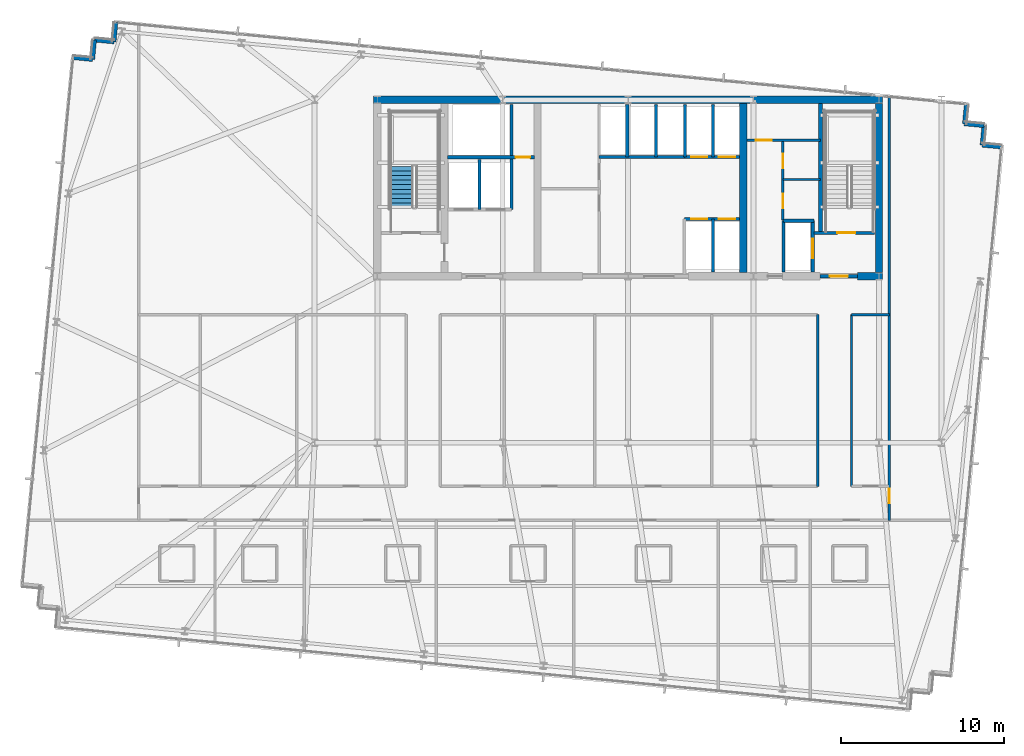
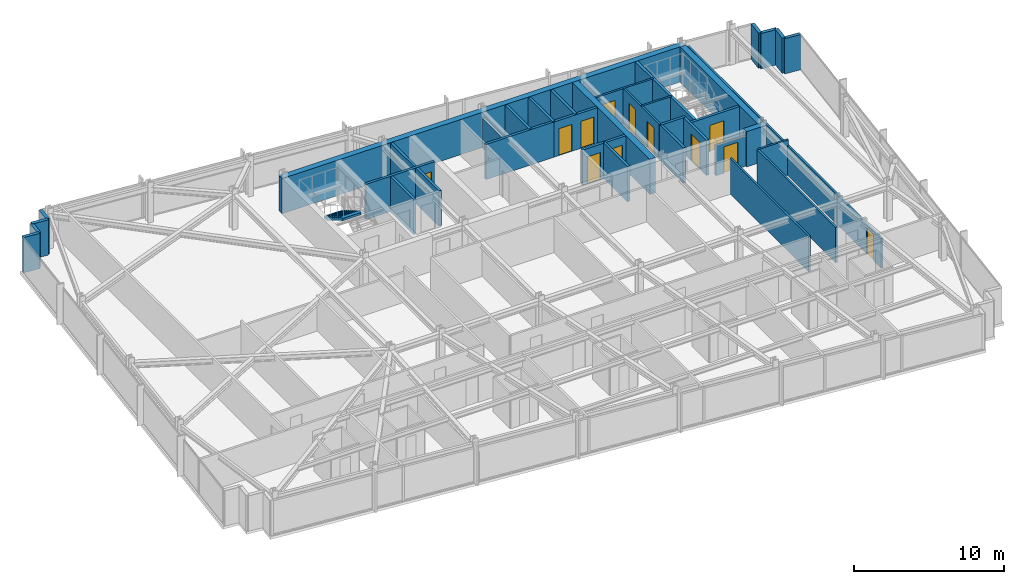
# One storey, part 31 of 37: 36 walls, 12 doors, 1 stair flight, 12 openings, 1 element without a shape of its own.
"""IFC4 building model written with IfcOpenShell, lengths in metres."""

from ifc_helpers import new_model, si_unit, direction, frame, frame_2d, origin, place, context, subcontext, project, spatial, polyline, rectangle, outline, extrude, material, layer, layer_set, type_object, element, fill, aggregate, save


model = new_model("IFC4")

# Units and contexts
model_context = context("Model", 3, precision=1e-05, world=origin(), true_north=direction((0.0, 1.0)))
body_context = subcontext(model_context, "Body", "Model", "MODEL_VIEW")
ifc_project = project(units=[si_unit("LENGTHUNIT", "METRE"), si_unit("AREAUNIT", "SQUARE_METRE"), si_unit("VOLUMEUNIT", "CUBIC_METRE"), si_unit("PLANEANGLEUNIT", "RADIAN"), si_unit("MASSUNIT", "GRAM", prefix="KILO")], contexts=[model_context])

# Site, building, storey
site_placement = place(None, origin())
site = spatial("IfcSite", under=ifc_project, at=site_placement, CompositionType="ELEMENT")
building_placement = place(site_placement, origin())
building = spatial("IfcBuilding", under=site, at=building_placement, Name="Yelkora Congress Tower", CompositionType="ELEMENT")
storey_placement = place(building_placement, frame((0.0, 0.0, 188.60009765625)))
storey = spatial("IfcBuildingStorey", under=building, at=storey_placement, Name="L52", CompositionType="ELEMENT", Elevation=188.60009765625)

# Walls
ifc_material_1 = material(Name="Concrete C50/60", Category="concrete")
ifc_layer_1 = layer(ifc_material_1, 0.219970703125)
ifc_layer_set_1 = layer_set([ifc_layer_1], Name="Concrete C50/60")
wall_type_1 = type_object("IfcWallType", Name="WALL-CORE-INT-220", PredefinedType="SHEAR", material=ifc_layer_set_1)
wall_1_placement = place(storey_placement, frame((50.179931640625, 38.050048828125, 0.0), z_axis=(0.0, 0.0, 1.0), x_axis=(0.0, 1.0, 0.0)))
element("IfcWall", 1, at=wall_1_placement, inside=storey, type_object=wall_type_1, Name="L52 ST02 West Stair Shear Wall", PredefinedType="SHEAR", context=body_context, shape_type="SweptSolid", body=[
    extrude(rectangle(XDim=7.925048828125, YDim=0.219970703125, at=frame_2d((3.96240234375, 0.0))), origin(), (0.0, 0.0, 1.0), 2.8798828125),
])
ifc_material_2 = material(Name="Concrete C60/75", Category="concrete")
ifc_layer_2 = layer(ifc_material_2, 0.449951171875)
ifc_layer_set_2 = layer_set([ifc_layer_2], Name="Concrete C60/75")
wall_type_2 = type_object("IfcWallType", Name="WALL-CORE-INT-450", PredefinedType="SHEAR", material=ifc_layer_set_2)
wall_2_placement = place(storey_placement, frame((22.81494140625, 46.199951171875, 0.0), z_axis=(0.0, 0.0, 1.0), x_axis=(1.0, 0.0, 0.0)))
element("IfcWall", 2, at=wall_2_placement, inside=storey, type_object=wall_type_2, Name="L52 Rear Core North Shear Wall", PredefinedType="SHEAR", context=body_context, shape_type="SweptSolid", body=[
    extrude(rectangle(XDim=31.170166015625, YDim=0.449951171875, at=frame_2d((15.5849609375, 0.0))), origin(), (0.0, 0.0, 1.0), 2.8798828125),
])
wall_3_placement = place(storey_placement, frame((52.449951171875, 35.39990234375, 0.0), z_axis=(0.0, 0.0, 1.0), x_axis=(1.0, 0.0, 0.0)))
element("IfcWall", 3, at=wall_3_placement, inside=storey, type_object=wall_type_2, Name="L52 Rear Core South-East Shear Wall B", PredefinedType="SHEAR", context=body_context, shape_type="SweptSolid", body=[
    extrude(rectangle(XDim=1.53515625, YDim=0.449951171875, at=frame_2d((0.767578125, 0.0))), origin(), (0.0, 0.0, 1.0), 2.8798828125),
])
for number, where, z_axis, x_axis, name in (
    (4, (45.449951171875, 35.625, 0.0), (0.0, 0.0, 1.0), (0.0, 1.0, 0.0), "L52 Rear Core Cross Shear Wall C3"),
    (5, (53.760009765625, 35.625, 0.0), (0.0, 0.0, 1.0), (0.0, 1.0, 0.0), "L52 Rear Core Cross Shear Wall E"),
):
    element("IfcWall", number, at=place(storey_placement, frame(where, z_axis=z_axis, x_axis=x_axis)), inside=storey, type_object=wall_type_2, Name=name, PredefinedType="SHEAR", context=body_context, shape_type="SweptSolid", body=[
        extrude(rectangle(XDim=10.35009765625, YDim=0.449951171875, at=frame_2d((5.175048828125, 0.0))), origin(), (0.0, 0.0, 1.0), 2.8798828125),
    ])
ifc_material_3 = material(Name="Concrete C40/50", Category="concrete")
ifc_layer_3 = layer(ifc_material_3, 0.239990234375)
ifc_layer_set_3 = layer_set([ifc_layer_3], Name="Concrete C40/50")
wall_type_3 = type_object("IfcWallType", Name="WALL-EXT-LIMESTONE-240", PredefinedType="SOLIDWALL", material=ifc_layer_set_3)
wall_4_placement = place(storey_placement, frame((4.41064453125, 48.778564453125, 0.0), z_axis=(0.0, 0.0, 1.0), x_axis=(0.995397091755, -0.095836473879, 0.0)))
element("IfcWall", 6, at=wall_4_placement, inside=storey, type_object=wall_type_3, Name="L52 Serrated Corner Limestone Pier 6", PredefinedType="SOLIDWALL", context=body_context, shape_type="SweptSolid", body=[
    extrude(rectangle(XDim=1.199951171875, YDim=0.239990234375, at=frame_2d((0.60009765625, 0.0))), origin(), (0.0, 0.0, 1.0), 2.8798828125),
])
wall_5_placement = place(storey_placement, frame((5.60498046875, 48.66357421875, 0.0), z_axis=(0.0, 0.0, 1.0), x_axis=(0.096018626938, 0.995379537303, 0.0)))
element("IfcWall", 7, at=wall_5_placement, inside=storey, type_object=wall_type_3, Name="L52 Serrated Corner Limestone Pier 7", PredefinedType="SOLIDWALL", context=body_context, shape_type="SweptSolid", body=[
    extrude(rectangle(XDim=1.2001953125, YDim=0.239990234375, at=frame_2d((0.60009765625, 0.0))), origin(), (0.0, 0.0, 1.0), 2.8798828125),
])
for number, where, z_axis, x_axis, name in (
    (8, (5.72021484375, 49.858154296875, 0.0), (0.0, 0.0, 1.0), (0.995397091755, -0.095836473879, 0.0), "L52 Serrated Corner Limestone Pier 8"),
    (9, (6.91455078125, 49.7431640625, 0.0), (0.0, 0.0, 1.0), (0.095836473879, 0.995397091755, 0.0), "L52 Serrated Corner Limestone Pier 9"),
):
    element("IfcWall", number, at=place(storey_placement, frame(where, z_axis=z_axis, x_axis=x_axis)), inside=storey, type_object=wall_type_3, Name=name, PredefinedType="SOLIDWALL", context=body_context, shape_type="SweptSolid", body=[
        extrude(rectangle(XDim=1.199951171875, YDim=0.239990234375, at=frame_2d((0.60009765625, 0.0))), origin(), (0.0, 0.0, 1.0), 2.8798828125),
    ])
for number, where, z_axis, x_axis, name in (
    (10, (59.108642578125, 45.923095703125, 0.0), (0.0, 0.0, 1.0), (-0.095817067274, -0.995398960025, 0.0), "L52 Serrated Corner Limestone Pier 11"),
    (11, (58.99365234375, 44.728515625, 0.0), (0.0, 0.0, 1.0), (0.995398960025, -0.095817067274, 0.0), "L52 Serrated Corner Limestone Pier 12"),
    (12, (60.188232421875, 44.613525390625, 0.0), (0.0, 0.0, 1.0), (-0.096018626938, -0.995379537303, 0.0), "L52 Serrated Corner Limestone Pier 13"),
    (13, (60.072998046875, 43.4189453125, 0.0), (0.0, 0.0, 1.0), (0.995398960025, -0.095817067274, 0.0), "L52 Serrated Corner Limestone Pier 14"),
):
    element("IfcWall", number, at=place(storey_placement, frame(where, z_axis=z_axis, x_axis=x_axis)), inside=storey, type_object=wall_type_3, Name=name, PredefinedType="SOLIDWALL", context=body_context, shape_type="SweptSolid", body=[
        extrude(rectangle(XDim=1.2001953125, YDim=0.239990234375, at=frame_2d((0.60009765625, 0.0))), origin(), (0.0, 0.0, 1.0), 2.8798828125),
    ])

# Wall, opening, door
ifc_material_4 = material(Name="Acoustic metal-stud gypsum partition", Category="gypsum")
ifc_layer_4 = layer(ifc_material_4, 0.14990234375)
ifc_layer_set_4 = layer_set([ifc_layer_4], Name="Acoustic metal-stud gypsum partition")
wall_type_4 = type_object("IfcWallType", Name="WALL-INT-150-NR", PredefinedType="PARTITIONING", material=ifc_layer_set_4)
wall_6_placement = place(storey_placement, frame((45.679931640625, 43.719970703125, 0.0), z_axis=(0.0, 0.0, 1.0), x_axis=(1.0, 0.0, 0.0)))
wall_6 = element("IfcWall", 14, at=wall_6_placement, inside=storey, type_object=wall_type_4, Name="L52 Partition Wall 24", PredefinedType="PARTITIONING", context=body_context, shape_type="SweptSolid", body=[
    extrude(rectangle(XDim=4.5, YDim=0.14990234375, at=frame_2d((2.25, 0.0))), origin(), (0.0, 0.0, 1.0), 2.8798828125),
])
opening_1_placement = place(wall_6_placement, frame((0.550048828125, 0.0, 0.0)))
opening_1 = element("IfcOpeningElement", 15, at=opening_1_placement, cuts=wall_6, Name="Opening DR-095N", PredefinedType="OPENING", context=body_context, shape_type="SweptSolid", body=[
    extrude(rectangle(XDim=0.949951171875, YDim=2.14990234375, at=frame_2d((0.47509765625, 1.074951171875))), frame((0.0, 0.0849609375, 0.0), z_axis=(0.0, -1.0, 0.0), x_axis=(1.0, 0.0, 0.0)), (0.0, 0.0, 1.0), 0.169921875),
])
ifc_material_5 = material(Name="Acoustic laminated timber office door", Category="wood")
door_type_1 = type_object("IfcDoorType", Name="DOOR-INT-950", OperationType="NOTDEFINED", PredefinedType="DOOR", material=ifc_material_5)
door_1_placement = place(opening_1_placement, origin())
door_1 = element("IfcDoor", 16, at=door_1_placement, inside=storey, type_object=door_type_1, Name="L52 Accessible WC Door", OperationType="SINGLE_SWING_RIGHT", OverallHeight=2.14990234375, OverallWidth=0.949951171875, PredefinedType="DOOR", context=body_context, shape_type="SweptSolid", body=[
    extrude(rectangle(XDim=0.949951171875, YDim=2.14990234375, at=frame_2d((0.47509765625, 1.074951171875))), frame((0.0, 0.02490234375, 0.0), z_axis=(0.0, -1.0, 0.0), x_axis=(1.0, 0.0, 0.0)), (0.0, 0.0, 1.0), 0.050048828125),
])
fill(opening_1, door_1)

# Wall
wall_7_placement = place(storey_placement, frame((47.8798828125, 41.320068359375, 0.0), z_axis=(0.0, 0.0, 1.0), x_axis=(1.0, 0.0, 0.0)))
element("IfcWall", 17, at=wall_7_placement, inside=storey, type_object=wall_type_4, Name="L52 Partition Wall 25", PredefinedType="PARTITIONING", context=body_context, shape_type="SweptSolid", body=[
    extrude(rectangle(XDim=2.300048828125, YDim=0.14990234375, at=frame_2d((1.14990234375, 0.0))), origin(), (0.0, 0.0, 1.0), 2.8798828125),
])

# Wall, openings, doors
wall_8_placement = place(storey_placement, frame((47.8798828125, 38.85009765625, 0.0), z_axis=(0.0, 0.0, 1.0), x_axis=(0.0, 1.0, 0.0)))
wall_8 = element("IfcWall", 18, at=wall_8_placement, inside=storey, type_object=wall_type_4, Name="L52 Partition Wall 26", PredefinedType="PARTITIONING", context=body_context, shape_type="SweptSolid", body=[
    extrude(rectangle(XDim=4.869873046875, YDim=0.14990234375, at=frame_2d((2.43505859375, 0.0))), origin(), (0.0, 0.0, 1.0), 2.8798828125),
])
opening_2_placement = place(wall_8_placement, frame((0.699951171875, 0.0, 0.0)))
opening_2 = element("IfcOpeningElement", 19, at=opening_2_placement, cuts=wall_8, Name="Opening DR-090N", PredefinedType="OPENING", context=body_context, shape_type="SweptSolid", body=[
    extrude(rectangle(XDim=0.89990234375, YDim=2.14990234375, at=frame_2d((0.449951171875, 1.074951171875))), frame((0.0, 0.0849609375, 0.0), z_axis=(0.0, -1.0, 0.0), x_axis=(1.0, 0.0, 0.0)), (0.0, 0.0, 1.0), 0.169921875),
])
opening_3_placement = place(wall_8_placement, frame((3.14990234375, 0.0, 0.0)))
opening_3 = element("IfcOpeningElement", 20, at=opening_3_placement, cuts=wall_8, Name="Opening DR-090N", PredefinedType="OPENING", context=body_context, shape_type="SweptSolid", body=[
    extrude(rectangle(XDim=0.89990234375, YDim=2.14990234375, at=frame_2d((0.449951171875, 1.074951171875))), frame((0.0, 0.0849609375, 0.0), z_axis=(0.0, -1.0, 0.0), x_axis=(1.0, 0.0, 0.0)), (0.0, 0.0, 1.0), 0.169921875),
])
ifc_material_6 = material(Name="Moisture-resistant laminate door leaf", Category="wood")
door_type_2 = type_object("IfcDoorType", Name="DOOR-INT-900", OperationType="NOTDEFINED", PredefinedType="DOOR", material=ifc_material_6)
door_2_placement = place(opening_2_placement, origin())
door_2 = element("IfcDoor", 21, at=door_2_placement, inside=storey, type_object=door_type_2, Name="L52 Male WC Door", OperationType="SINGLE_SWING_LEFT", OverallHeight=2.14990234375, OverallWidth=0.89990234375, PredefinedType="DOOR", context=body_context, shape_type="SweptSolid", body=[
    extrude(rectangle(XDim=0.89990234375, YDim=2.14990234375, at=frame_2d((0.449951171875, 1.074951171875))), frame((0.0, 0.02490234375, 0.0), z_axis=(0.0, -1.0, 0.0), x_axis=(1.0, 0.0, 0.0)), (0.0, 0.0, 1.0), 0.050048828125),
])
fill(opening_2, door_2)
door_3_placement = place(opening_3_placement, origin())
door_3 = element("IfcDoor", 22, at=door_3_placement, inside=storey, type_object=door_type_2, Name="L52 Female WC Door", OperationType="SINGLE_SWING_RIGHT", OverallHeight=2.14990234375, OverallWidth=0.89990234375, PredefinedType="DOOR", context=body_context, shape_type="SweptSolid", body=[
    extrude(rectangle(XDim=0.89990234375, YDim=2.14990234375, at=frame_2d((0.449951171875, 1.074951171875))), frame((0.0, 0.02490234375, 0.0), z_axis=(0.0, -1.0, 0.0), x_axis=(1.0, 0.0, 0.0)), (0.0, 0.0, 1.0), 0.050048828125),
])
fill(opening_3, door_3)

# Wall, opening, door
wall_9_placement = place(storey_placement, frame((54.39990234375, 20.449951171875, 0.0), z_axis=(0.0, 0.0, 1.0), x_axis=(0.0, 1.0, 0.0)))
wall_9 = element("IfcWall", 23, at=wall_9_placement, inside=storey, type_object=wall_type_4, Name="L52 Partition Wall 63", PredefinedType="PARTITIONING", context=body_context, shape_type="SweptSolid", body=[
    extrude(rectangle(XDim=25.986572265625, YDim=0.14990234375, at=frame_2d((12.9931640625, 0.0))), origin(), (0.0, 0.0, 1.0), 2.4248046875),
])
opening_4_placement = place(wall_9_placement, frame((1.030029296875, 0.0, 0.0)))
opening_4 = element("IfcOpeningElement", 24, at=opening_4_placement, cuts=wall_9, Name="Opening DR-090N", PredefinedType="OPENING", context=body_context, shape_type="SweptSolid", body=[
    extrude(rectangle(XDim=0.89990234375, YDim=2.14990234375, at=frame_2d((0.449951171875, 1.074951171875))), frame((0.0, 0.0849609375, 0.0), z_axis=(0.0, -1.0, 0.0), x_axis=(1.0, 0.0, 0.0)), (0.0, 0.0, 1.0), 0.169921875),
])
door_4_placement = place(opening_4_placement, origin())
door_4 = element("IfcDoor", 25, at=door_4_placement, inside=storey, type_object=door_type_2, Name="L52 E Wing Door", OperationType="SINGLE_SWING_RIGHT", OverallHeight=2.14990234375, OverallWidth=0.89990234375, PredefinedType="DOOR", context=body_context, shape_type="SweptSolid", body=[
    extrude(rectangle(XDim=0.89990234375, YDim=2.14990234375, at=frame_2d((0.449951171875, 1.074951171875))), frame((0.0, 0.02490234375, 0.0), z_axis=(0.0, -1.0, 0.0), x_axis=(1.0, 0.0, 0.0)), (0.0, 0.0, 1.0), 0.050048828125),
])
fill(opening_4, door_4)

# Walls
for number, where, z_axis, x_axis, name in (
    (26, (50.0, 22.530029296875, 0.0), (0.0, 0.0, 1.0), (0.0, 1.0, 0.0), "L52 Partition Wall 66"),
    (27, (52.080078125, 22.530029296875, 0.0), (0.0, 0.0, 1.0), (0.0, 1.0, 0.0), "L52 Partition Wall 67"),
):
    element("IfcWall", number, at=place(storey_placement, frame(where, z_axis=z_axis, x_axis=x_axis)), inside=storey, type_object=wall_type_4, Name=name, PredefinedType="PARTITIONING", context=body_context, shape_type="SweptSolid", body=[
        extrude(rectangle(XDim=10.52001953125, YDim=0.14990234375, at=frame_2d((5.260009765625, 0.0))), origin(), (0.0, 0.0, 1.0), 2.8798828125),
    ])
wall_10_placement = place(storey_placement, frame((52.080078125, 33.050048828125, 0.0), z_axis=(0.0, 0.0, 1.0), x_axis=(1.0, 0.0, 0.0)))
element("IfcWall", 28, at=wall_10_placement, inside=storey, type_object=wall_type_4, Name="L52 Partition Wall 70", PredefinedType="PARTITIONING", context=body_context, shape_type="SweptSolid", body=[
    extrude(rectangle(XDim=2.31982421875, YDim=0.14990234375, at=frame_2d((1.159912109375, 0.0))), origin(), (0.0, 0.0, 1.0), 2.8798828125),
])
ifc_material_7 = material(Name="Autoclaved aerated concrete blockwork", Category="masonry")
ifc_layer_5 = layer(ifc_material_7, 0.199951171875)
ifc_layer_set_5 = layer_set([ifc_layer_5], Name="Autoclaved aerated concrete blockwork")
wall_type_5 = type_object("IfcWallType", Name="WALL-INT-200-R120", PredefinedType="PARTITIONING", material=ifc_layer_set_5)
wall_11_placement = place(storey_placement, frame((29.300048828125, 39.47998046875, 0.0), z_axis=(0.0, 0.0, 1.0), x_axis=(0.0, 1.0, 0.0)))
element("IfcWall", 29, at=wall_11_placement, inside=storey, type_object=wall_type_5, Name="L52 Partition Wall 4", PredefinedType="PARTITIONING", context=body_context, shape_type="SweptSolid", body=[
    extrude(rectangle(XDim=3.070068359375, YDim=0.199951171875, at=frame_2d((1.53515625, 0.0))), origin(), (0.0, 0.0, 1.0), 2.8798828125),
])
wall_12_placement = place(storey_placement, frame((31.260009765625, 39.47998046875, 0.0), z_axis=(0.0, 0.0, 1.0), x_axis=(0.0, 1.0, 0.0)))
element("IfcWall", 30, at=wall_12_placement, inside=storey, type_object=wall_type_5, Name="L52 Partition Wall 5", PredefinedType="PARTITIONING", context=body_context, shape_type="SweptSolid", body=[
    extrude(rectangle(XDim=6.43994140625, YDim=0.199951171875, at=frame_2d((3.219970703125, 0.0))), origin(), (0.0, 0.0, 1.0), 2.8798828125),
])

# Wall, opening, door
wall_13_placement = place(storey_placement, frame((27.320068359375, 42.679931640625, 0.0), z_axis=(0.0, 0.0, 1.0), x_axis=(1.0, 0.0, 0.0)))
wall_13 = element("IfcWall", 31, at=wall_13_placement, inside=storey, type_object=wall_type_5, Name="L52 Smoke Riser South Wall", PredefinedType="PARTITIONING", context=body_context, shape_type="SweptSolid", body=[
    extrude(rectangle(XDim=5.329833984375, YDim=0.199951171875, at=frame_2d((2.6650390625, 0.0))), origin(), (0.0, 0.0, 1.0), 2.8798828125),
])
opening_5_placement = place(wall_13_placement, frame((4.179931640625, 0.0, 0.0)))
opening_5 = element("IfcOpeningElement", 32, at=opening_5_placement, cuts=wall_13, Name="Opening DR-090F6", PredefinedType="OPENING", context=body_context, shape_type="SweptSolid", body=[
    extrude(rectangle(XDim=0.89990234375, YDim=2.14990234375, at=frame_2d((0.449951171875, 1.074951171875))), frame((0.0, 0.10986328125, 0.0), z_axis=(0.0, -1.0, 0.0), x_axis=(1.0, 0.0, 0.0)), (0.0, 0.0, 1.0), 0.219970703125),
])
ifc_material_8 = material(Name="Painted steel riser fire door leaf", Category="steel")
door_type_3 = type_object("IfcDoorType", Name="DOOR-FD60-900", OperationType="NOTDEFINED", PredefinedType="DOOR", material=ifc_material_8)
door_5_placement = place(opening_5_placement, origin())
door_5 = element("IfcDoor", 33, at=door_5_placement, inside=storey, type_object=door_type_3, Name="L52 Riser Access Door", OperationType="SINGLE_SWING_LEFT", OverallHeight=2.14990234375, OverallWidth=0.89990234375, PredefinedType="DOOR", context=body_context, shape_type="SweptSolid", body=[
    extrude(rectangle(XDim=0.89990234375, YDim=2.14990234375, at=frame_2d((0.449951171875, 1.074951171875))), frame((0.0, 0.02490234375, 0.0), z_axis=(0.0, -1.0, 0.0), x_axis=(1.0, 0.0, 0.0)), (0.0, 0.0, 1.0), 0.050048828125),
])
fill(opening_5, door_5)

# Walls
wall_14_placement = place(storey_placement, frame((36.60009765625, 42.699951171875, 0.0), z_axis=(0.0, 0.0, 1.0), x_axis=(1.0, 0.0, 0.0)))
element("IfcWall", 34, at=wall_14_placement, inside=storey, type_object=wall_type_5, Name="L52 Partition Wall 8", PredefinedType="PARTITIONING", context=body_context, shape_type="SweptSolid", body=[
    extrude(rectangle(XDim=5.25, YDim=0.199951171875, at=frame_2d((2.625, 0.0))), origin(), (0.0, 0.0, 1.0), 2.8798828125),
])
wall_15_placement = place(storey_placement, frame((38.35009765625, 42.699951171875, 0.0), z_axis=(0.0, 0.0, 1.0), x_axis=(0.0, 1.0, 0.0)))
element("IfcWall", 35, at=wall_15_placement, inside=storey, type_object=wall_type_5, Name="L52 Partition Wall 9", PredefinedType="PARTITIONING", context=body_context, shape_type="SweptSolid", body=[
    extrude(rectangle(XDim=3.219970703125, YDim=0.199951171875, at=frame_2d((1.60986328125, 0.0))), origin(), (0.0, 0.0, 1.0), 2.4248046875),
])
wall_16_placement = place(storey_placement, frame((40.10009765625, 42.699951171875, 0.0), z_axis=(0.0, 0.0, 1.0), x_axis=(0.0, 1.0, 0.0)))
element("IfcWall", 36, at=wall_16_placement, inside=storey, type_object=wall_type_5, Name="L52 Partition Wall 10", PredefinedType="PARTITIONING", context=body_context, shape_type="SweptSolid", body=[
    extrude(rectangle(XDim=3.219970703125, YDim=0.199951171875, at=frame_2d((1.60986328125, 0.0))), origin(), (0.0, 0.0, 1.0), 2.8798828125),
])

# Wall, openings, doors
wall_17_placement = place(storey_placement, frame((41.85009765625, 38.89990234375, 0.0), z_axis=(0.0, 0.0, 1.0), x_axis=(1.0, 0.0, 0.0)))
wall_17 = element("IfcWall", 37, at=wall_17_placement, inside=storey, type_object=wall_type_5, Name="L52 Partition Wall 13", PredefinedType="PARTITIONING", context=body_context, shape_type="SweptSolid", body=[
    extrude(rectangle(XDim=3.369873046875, YDim=0.199951171875, at=frame_2d((1.68505859375, 0.0))), origin(), (0.0, 0.0, 1.0), 2.8798828125),
])
opening_6_placement = place(wall_17_placement, frame((0.39990234375, 0.0, 0.0)))
opening_6 = element("IfcOpeningElement", 38, at=opening_6_placement, cuts=wall_17, Name="Opening LD-PS10", PredefinedType="OPENING", context=body_context, shape_type="SweptSolid", body=[
    extrude(rectangle(XDim=1.0, YDim=2.199951171875, at=frame_2d((0.5, 1.10009765625))), frame((0.0, 0.10986328125, 0.0), z_axis=(0.0, -1.0, 0.0), x_axis=(1.0, 0.0, 0.0)), (0.0, 0.0, 1.0), 0.219970703125),
])
opening_7_placement = place(wall_17_placement, frame((2.10009765625, 0.0, 0.0)))
opening_7 = element("IfcOpeningElement", 39, at=opening_7_placement, cuts=wall_17, Name="Opening LD-PS10", PredefinedType="OPENING", context=body_context, shape_type="SweptSolid", body=[
    extrude(rectangle(XDim=1.0, YDim=2.199951171875, at=frame_2d((0.5, 1.10009765625))), frame((0.0, 0.10986328125, 0.0), z_axis=(0.0, -1.0, 0.0), x_axis=(1.0, 0.0, 0.0)), (0.0, 0.0, 1.0), 0.219970703125),
])
ifc_material_9 = material(Name="Champagne stainless steel landing door", Category="steel")
door_type_4 = type_object("IfcDoorType", Name="DOOR-LIFT-PAS-1000", OperationType="DOUBLE_DOOR_SLIDING", PredefinedType="DOOR", material=ifc_material_9)
door_6_placement = place(opening_6_placement, origin())
door_6 = element("IfcDoor", 40, at=door_6_placement, inside=storey, type_object=door_type_4, Name="Lift Landing Door LF-P5 L52", OperationType="DOUBLE_DOOR_SLIDING", OverallHeight=2.199951171875, OverallWidth=1.0, PredefinedType="DOOR", context=body_context, shape_type="SweptSolid", body=[
    extrude(rectangle(XDim=1.0, YDim=2.199951171875, at=frame_2d((0.5, 1.10009765625))), frame((0.0, 0.02490234375, 0.0), z_axis=(0.0, -1.0, 0.0), x_axis=(1.0, 0.0, 0.0)), (0.0, 0.0, 1.0), 0.050048828125),
])
fill(opening_6, door_6)
door_7_placement = place(opening_7_placement, origin())
door_7 = element("IfcDoor", 41, at=door_7_placement, inside=storey, type_object=door_type_4, Name="Lift Landing Door LF-P6 L52", OperationType="DOUBLE_DOOR_SLIDING", OverallHeight=2.199951171875, OverallWidth=1.0, PredefinedType="DOOR", context=body_context, shape_type="SweptSolid", body=[
    extrude(rectangle(XDim=1.0, YDim=2.199951171875, at=frame_2d((0.5, 1.10009765625))), frame((0.0, 0.02490234375, 0.0), z_axis=(0.0, -1.0, 0.0), x_axis=(1.0, 0.0, 0.0)), (0.0, 0.0, 1.0), 0.050048828125),
])
fill(opening_7, door_7)

wall_18_placement = place(storey_placement, frame((41.85009765625, 42.699951171875, 0.0), z_axis=(0.0, 0.0, 1.0), x_axis=(1.0, 0.0, 0.0)))
wall_18 = element("IfcWall", 42, at=wall_18_placement, inside=storey, type_object=wall_type_5, Name="L52 Partition Wall 14", PredefinedType="PARTITIONING", context=body_context, shape_type="SweptSolid", body=[
    extrude(rectangle(XDim=3.369873046875, YDim=0.199951171875, at=frame_2d((1.68505859375, 0.0))), origin(), (0.0, 0.0, 1.0), 2.8798828125),
])
opening_8_placement = place(wall_18_placement, frame((0.39990234375, 0.0, 0.0)))
opening_8 = element("IfcOpeningElement", 43, at=opening_8_placement, cuts=wall_18, Name="Opening LD-PS10", PredefinedType="OPENING", context=body_context, shape_type="SweptSolid", body=[
    extrude(rectangle(XDim=1.0, YDim=2.199951171875, at=frame_2d((0.5, 1.10009765625))), frame((0.0, 0.10986328125, 0.0), z_axis=(0.0, -1.0, 0.0), x_axis=(1.0, 0.0, 0.0)), (0.0, 0.0, 1.0), 0.219970703125),
])
opening_9_placement = place(wall_18_placement, frame((2.10009765625, 0.0, 0.0)))
opening_9 = element("IfcOpeningElement", 44, at=opening_9_placement, cuts=wall_18, Name="Opening LD-PS10", PredefinedType="OPENING", context=body_context, shape_type="SweptSolid", body=[
    extrude(rectangle(XDim=1.0, YDim=2.199951171875, at=frame_2d((0.5, 1.10009765625))), frame((0.0, 0.10986328125, 0.0), z_axis=(0.0, -1.0, 0.0), x_axis=(1.0, 0.0, 0.0)), (0.0, 0.0, 1.0), 0.219970703125),
])
door_8_placement = place(opening_8_placement, origin())
door_8 = element("IfcDoor", 45, at=door_8_placement, inside=storey, type_object=door_type_4, Name="Lift Landing Door LF-P7 L52", OperationType="DOUBLE_DOOR_SLIDING", OverallHeight=2.199951171875, OverallWidth=1.0, PredefinedType="DOOR", context=body_context, shape_type="SweptSolid", body=[
    extrude(rectangle(XDim=1.0, YDim=2.199951171875, at=frame_2d((0.5, 1.10009765625))), frame((0.0, 0.02490234375, 0.0), z_axis=(0.0, -1.0, 0.0), x_axis=(1.0, 0.0, 0.0)), (0.0, 0.0, 1.0), 0.050048828125),
])
fill(opening_8, door_8)
door_9_placement = place(opening_9_placement, origin())
door_9 = element("IfcDoor", 46, at=door_9_placement, inside=storey, type_object=door_type_4, Name="Lift Landing Door LF-P8 L52", OperationType="DOUBLE_DOOR_SLIDING", OverallHeight=2.199951171875, OverallWidth=1.0, PredefinedType="DOOR", context=body_context, shape_type="SweptSolid", body=[
    extrude(rectangle(XDim=1.0, YDim=2.199951171875, at=frame_2d((0.5, 1.10009765625))), frame((0.0, 0.02490234375, 0.0), z_axis=(0.0, -1.0, 0.0), x_axis=(1.0, 0.0, 0.0)), (0.0, 0.0, 1.0), 0.050048828125),
])
fill(opening_9, door_9)

# Walls
wall_19_placement = place(storey_placement, frame((43.60009765625, 35.64990234375, 0.0), z_axis=(0.0, 0.0, 1.0), x_axis=(0.0, 1.0, 0.0)))
element("IfcWall", 47, at=wall_19_placement, inside=storey, type_object=wall_type_5, Name="L52 Partition Wall 15", PredefinedType="PARTITIONING", context=body_context, shape_type="SweptSolid", body=[
    extrude(rectangle(XDim=3.25, YDim=0.199951171875, at=frame_2d((1.625, 0.0))), origin(), (0.0, 0.0, 1.0), 2.8798828125),
])
for number, where, z_axis, x_axis, name in (
    (48, (43.60009765625, 42.699951171875, 0.0), (0.0, 0.0, 1.0), (0.0, 1.0, 0.0), "L52 Partition Wall 16"),
    (49, (41.8798828125, 42.699951171875, 0.0), (0.0, 0.0, 1.0), (0.0, 1.0, 0.0), "L52 Partition Wall 18"),
):
    element("IfcWall", number, at=place(storey_placement, frame(where, z_axis=z_axis, x_axis=x_axis)), inside=storey, type_object=wall_type_5, Name=name, PredefinedType="PARTITIONING", context=body_context, shape_type="SweptSolid", body=[
        extrude(rectangle(XDim=3.219970703125, YDim=0.199951171875, at=frame_2d((1.60986328125, 0.0))), origin(), (0.0, 0.0, 1.0), 2.8798828125),
    ])

# Wall, opening, door
wall_20_placement = place(storey_placement, frame((49.780029296875, 38.050048828125, 0.0), z_axis=(0.0, 0.0, 1.0), x_axis=(1.0, 0.0, 0.0)))
wall_20 = element("IfcWall", 50, at=wall_20_placement, inside=storey, type_object=wall_type_5, Name="L52 Stair ST-02 Enclosure Wall", PredefinedType="PARTITIONING", context=body_context, shape_type="SweptSolid", body=[
    extrude(rectangle(XDim=3.719970703125, YDim=0.199951171875, at=frame_2d((1.85986328125, 0.0))), origin(), (0.0, 0.0, 1.0), 2.8798828125),
])
opening_10_placement = place(wall_20_placement, frame((1.436279296875, 0.0, 0.0)))
opening_10 = element("IfcOpeningElement", 51, at=opening_10_placement, cuts=wall_20, Name="Opening DR-110F9", PredefinedType="OPENING", context=body_context, shape_type="SweptSolid", body=[
    extrude(rectangle(XDim=1.10009765625, YDim=2.14990234375, at=frame_2d((0.550048828125, 1.074951171875))), frame((0.0, 0.10986328125, 0.0), z_axis=(0.0, -1.0, 0.0), x_axis=(1.0, 0.0, 0.0)), (0.0, 0.0, 1.0), 0.219970703125),
])
ifc_material_10 = material(Name="Galvanised steel fire door leaf", Category="steel")
door_type_5 = type_object("IfcDoorType", Name="DOOR-FD90-1100", OperationType="NOTDEFINED", PredefinedType="DOOR", material=ifc_material_10)
door_10_placement = place(opening_10_placement, origin())
door_10 = element("IfcDoor", 52, at=door_10_placement, inside=storey, type_object=door_type_5, Name="L52 Stair ST-02 Entry Door", OperationType="SINGLE_SWING_LEFT", OverallHeight=2.14990234375, OverallWidth=1.10009765625, PredefinedType="DOOR", context=body_context, shape_type="SweptSolid", body=[
    extrude(rectangle(XDim=1.10009765625, YDim=2.14990234375, at=frame_2d((0.550048828125, 1.074951171875))), frame((0.0, 0.02490234375, 0.0), z_axis=(0.0, -1.0, 0.0), x_axis=(1.0, 0.0, 0.0)), (0.0, 0.0, 1.0), 0.050048828125),
])
fill(opening_10, door_10)

wall_21_placement = place(storey_placement, frame((50.14990234375, 35.39990234375, 0.0), z_axis=(0.0, 0.0, 1.0), x_axis=(1.0, 0.0, 0.0)))
wall_21 = element("IfcWall", 53, at=wall_21_placement, inside=storey, type_object=wall_type_5, Name="L52 Partition Wall 20", PredefinedType="PARTITIONING", context=body_context, shape_type="SweptSolid", body=[
    extrude(rectangle(XDim=2.300048828125, YDim=0.199951171875, at=frame_2d((1.14990234375, 0.0))), origin(), (0.0, 0.0, 1.0), 2.4248046875),
])
opening_11_placement = place(wall_21_placement, frame((0.60009765625, 0.0, 0.0)))
opening_11 = element("IfcOpeningElement", 54, at=opening_11_placement, cuts=wall_21, Name="Opening DR-110F9", PredefinedType="OPENING", context=body_context, shape_type="SweptSolid", body=[
    extrude(rectangle(XDim=1.10009765625, YDim=2.14990234375, at=frame_2d((0.550048828125, 1.074951171875))), frame((0.0, 0.10986328125, 0.0), z_axis=(0.0, -1.0, 0.0), x_axis=(1.0, 0.0, 0.0)), (0.0, 0.0, 1.0), 0.219970703125),
])
door_11_placement = place(opening_11_placement, origin())
door_11 = element("IfcDoor", 55, at=door_11_placement, inside=storey, type_object=door_type_5, Name="L52 East Stair Lobby Door", OperationType="SINGLE_SWING_RIGHT", OverallHeight=2.14990234375, OverallWidth=1.10009765625, PredefinedType="DOOR", context=body_context, shape_type="SweptSolid", body=[
    extrude(rectangle(XDim=1.10009765625, YDim=2.14990234375, at=frame_2d((0.550048828125, 1.074951171875))), frame((0.0, 0.02490234375, 0.0), z_axis=(0.0, -1.0, 0.0), x_axis=(1.0, 0.0, 0.0)), (0.0, 0.0, 1.0), 0.050048828125),
])
fill(opening_11, door_11)

wall_22_placement = place(storey_placement, frame((49.699951171875, 35.64990234375, 0.0), z_axis=(0.0, 0.0, 1.0), x_axis=(0.0, 1.0, 0.0)))
wall_22 = element("IfcWall", 56, at=wall_22_placement, inside=storey, type_object=wall_type_5, Name="L52 Partition Wall 21", PredefinedType="PARTITIONING", context=body_context, shape_type="SweptSolid", body=[
    extrude(rectangle(XDim=3.150146484375, YDim=0.199951171875, at=frame_2d((1.5751953125, 0.0))), origin(), (0.0, 0.0, 1.0), 2.8798828125),
])
opening_12_placement = place(wall_22_placement, frame((0.85009765625, 0.0, 0.0)))
opening_12 = element("IfcOpeningElement", 57, at=opening_12_placement, cuts=wall_22, Name="Opening LD-SV12", PredefinedType="OPENING", context=body_context, shape_type="SweptSolid", body=[
    extrude(rectangle(XDim=1.199951171875, YDim=2.199951171875, at=frame_2d((0.60009765625, 1.10009765625))), frame((0.0, 0.10986328125, 0.0), z_axis=(0.0, -1.0, 0.0), x_axis=(1.0, 0.0, 0.0)), (0.0, 0.0, 1.0), 0.219970703125),
])
ifc_material_11 = material(Name="Heavy-duty stainless steel landing door", Category="steel")
door_type_6 = type_object("IfcDoorType", Name="DOOR-LIFT-SRV-1200", OperationType="DOUBLE_DOOR_SLIDING", PredefinedType="DOOR", material=ifc_material_11)
door_12_placement = place(opening_12_placement, origin())
door_12 = element("IfcDoor", 58, at=door_12_placement, inside=storey, type_object=door_type_6, Name="Service Lift Landing Door LF-SV1 L52", OperationType="DOUBLE_DOOR_SLIDING", OverallHeight=2.199951171875, OverallWidth=1.199951171875, PredefinedType="DOOR", context=body_context, shape_type="SweptSolid", body=[
    extrude(rectangle(XDim=1.199951171875, YDim=2.199951171875, at=frame_2d((0.60009765625, 1.10009765625))), frame((0.0, 0.02490234375, 0.0), z_axis=(0.0, -1.0, 0.0), x_axis=(1.0, 0.0, 0.0)), (0.0, 0.0, 1.0), 0.050048828125),
])
fill(opening_12, door_12)

# Walls
wall_23_placement = place(storey_placement, frame((47.919921875, 35.64990234375, 0.0), z_axis=(0.0, 0.0, 1.0), x_axis=(0.0, 1.0, 0.0)))
element("IfcWall", 59, at=wall_23_placement, inside=storey, type_object=wall_type_5, Name="L52 Partition Wall 22", PredefinedType="PARTITIONING", context=body_context, shape_type="SweptSolid", body=[
    extrude(rectangle(XDim=3.150146484375, YDim=0.199951171875, at=frame_2d((1.5751953125, 0.0))), origin(), (0.0, 0.0, 1.0), 2.8798828125),
])
wall_24_placement = place(storey_placement, frame((47.919921875, 38.800048828125, 0.0), z_axis=(0.0, 0.0, 1.0), x_axis=(1.0, 0.0, 0.0)))
element("IfcWall", 60, at=wall_24_placement, inside=storey, type_object=wall_type_5, Name="L52 Partition Wall 23", PredefinedType="PARTITIONING", context=body_context, shape_type="SweptSolid", body=[
    extrude(rectangle(XDim=1.860107421875, YDim=0.199951171875, at=frame_2d((0.93017578125, 0.0))), origin(), (0.0, 0.0, 1.0), 2.8798828125),
])

# Stair, stair flight
stair_type = type_object("IfcStairType", Name="STAIR-HT-1420-R20-165", PredefinedType="HALF_TURN_STAIR", material=ifc_material_3)
stair_placement = place(storey_placement, origin())
stair = element("IfcStair", 61, at=stair_placement, inside=storey, type_object=stair_type, Name="West Core Protected Exit Stair ST-01 (L52)", PredefinedType="HALF_TURN_STAIR")
stair_flight_type = type_object("IfcStairFlightType", Name="FLIGHT-1420-N10-R165-G280", PredefinedType="STRAIGHT", material=ifc_material_3)
stair_flight_placement = place(storey_placement, frame((24.530029296875, 42.1201171875, 1.64990234375), z_axis=(0.0, 0.0, 1.0), x_axis=(0.0, -1.0, 0.0)))
stair_flight = element("IfcStairFlight", 62, at=stair_flight_placement, type_object=stair_flight_type, Name="ST-01 L52 Flight 2", NumberOfRisers=10, NumberOfTreads=9, PredefinedType="STRAIGHT", RiserHeight=0.165, TreadLength=0.28, context=body_context, shape_type="SweptSolid", body=[
    extrude(outline(polyline([(0.0, 0.0), (0.0, 0.1650390625), (0.280029296875, 0.1650390625), (0.280029296875, 0.330078125), (0.56005859375, 0.330078125), (0.56005859375, 0.4951171875), (0.840087890625, 0.4951171875), (0.840087890625, 0.659912109375), (1.1201171875, 0.659912109375), (1.1201171875, 0.824951171875), (1.39990234375, 0.824951171875), (1.39990234375, 0.989990234375), (1.679931640625, 0.989990234375), (1.679931640625, 1.155029296875), (1.9599609375, 1.155029296875), (1.9599609375, 1.320068359375), (2.239990234375, 1.320068359375), (2.239990234375, 1.485107421875), (2.52001953125, 1.485107421875), (2.52001953125, 1.64990234375), (2.52001953125, 1.29931640625), (0.31494140625, 0.0), (0.0, 0.0)])), frame((0.0, 0.7099609375, 0.0), z_axis=(0.0, -1.0, 0.0), x_axis=(1.0, 0.0, 0.0)), (0.0, 0.0, 1.0), 1.419921875),
])
aggregate(stair, [stair_flight])

save(model, "model.ifc")
